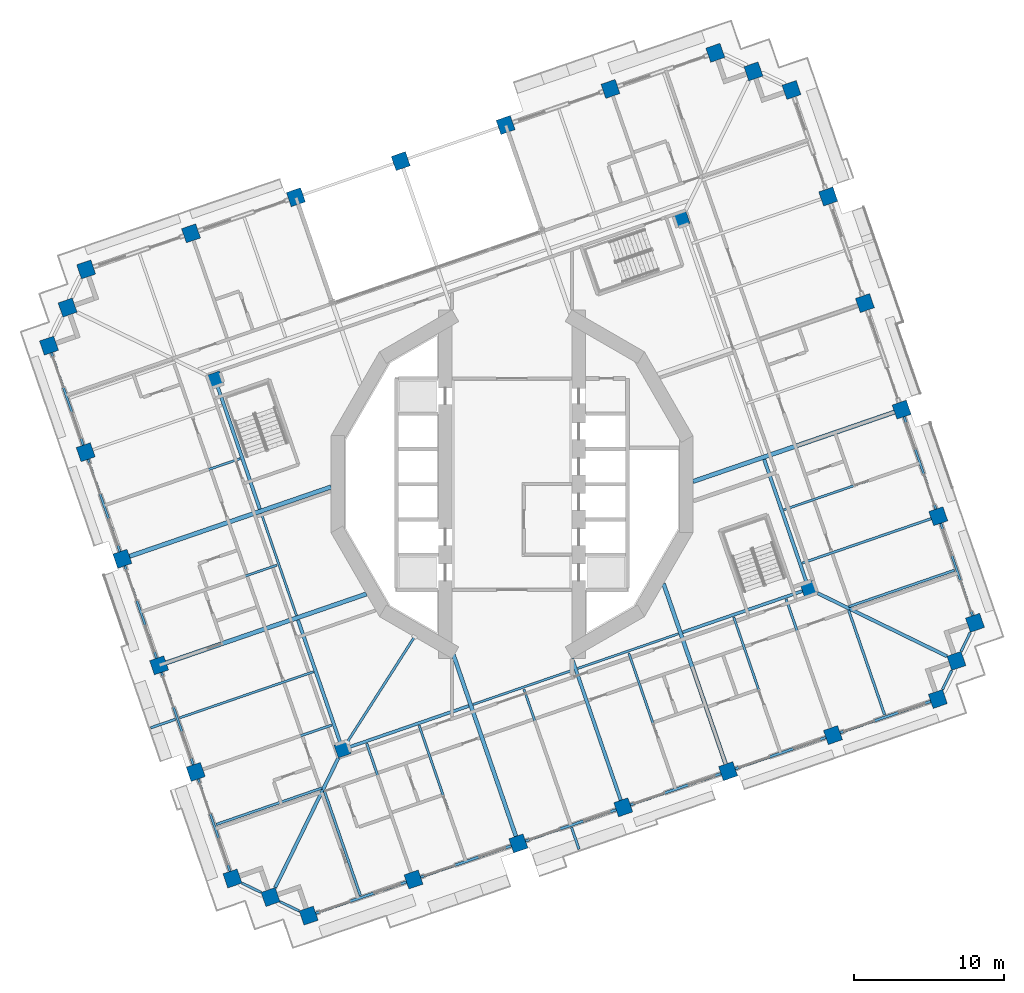
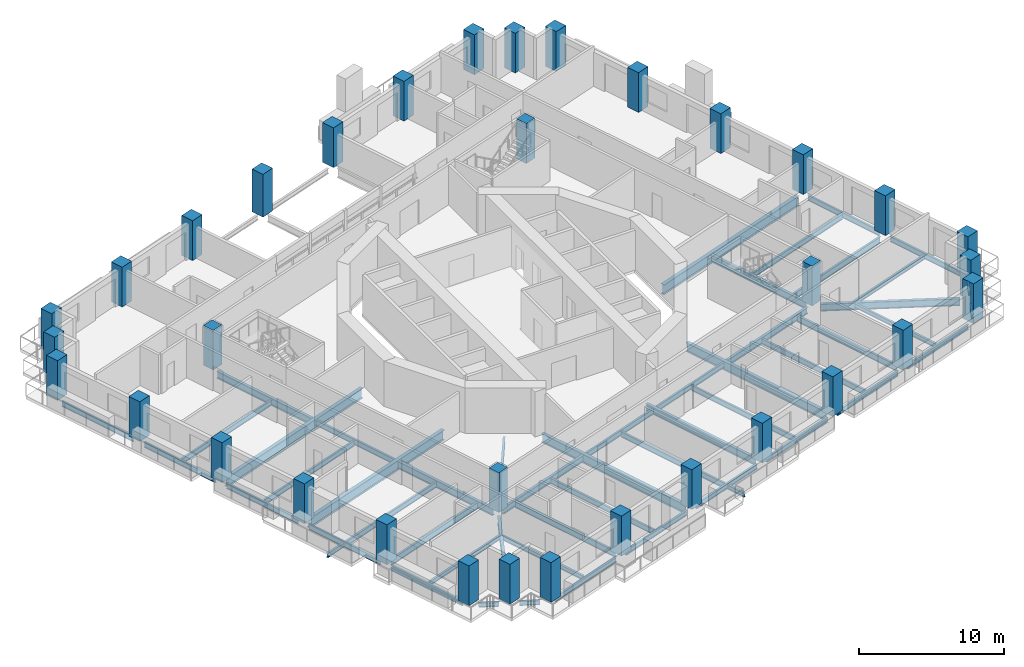
# One storey, part 1 of 22: 52 beams, 34 columns.
"""IFC4 building model written with IfcOpenShell, lengths in metres."""

from ifc_helpers import new_model, si_unit, direction, frame, origin, origin_2d, place, context, subcontext, project, spatial, rectangle, i_section, extrude, material, material_profile, profile_set, type_object, element, save


model = new_model("IFC4")

# Units and contexts
model_context = context("Model", 3, precision=1e-05, world=origin(), true_north=direction((0.0, 1.0)))
body_context = subcontext(model_context, "Body", "Model", "MODEL_VIEW")
ifc_project = project(units=[si_unit("LENGTHUNIT", "METRE"), si_unit("AREAUNIT", "SQUARE_METRE"), si_unit("VOLUMEUNIT", "CUBIC_METRE"), si_unit("PLANEANGLEUNIT", "RADIAN"), si_unit("MASSUNIT", "GRAM", prefix="KILO")], contexts=[model_context])

# Site, building, storey
site_placement = place(None, origin())
site = spatial("IfcSite", under=ifc_project, at=site_placement, CompositionType="ELEMENT")
building_placement = place(site_placement, origin())
building = spatial("IfcBuilding", under=site, at=building_placement, Name="Cantera Rosa Tower", CompositionType="ELEMENT")
storey_placement = place(building_placement, frame((0.0, 0.0, 138.300048828125)))
storey = spatial("IfcBuildingStorey", under=building, at=storey_placement, Name="L29", CompositionType="ELEMENT", Elevation=138.300048828125)

# Columns
ifc_material_1 = material(Name="Concrete C70/85", Category="concrete")
ifc_material_profile_1 = material_profile(ifc_material_1, rectangle(XDim=1.0, YDim=1.0, at=origin_2d()), Name="RC COLUMN RC1000X1000 C70/85")
ifc_profile_set_1 = profile_set([ifc_material_profile_1], Name="Concrete C70/85")
column_type_1 = type_object("IfcColumnType", Name="RC COLUMN RC1000X1000 C70/85", PredefinedType="COLUMN", material=ifc_profile_set_1)
for number, where, z_axis, x_axis, name in (
    (1, (30.893310546875, -9.245849609375, 0.0), (0.0, 0.0, 1.0), (0.945518575599, 0.325568154457, 0.0), "C-Z2-01 L29"),
    (2, (28.445068359375, -2.135498046875, 0.0), (0.0, 0.0, 1.0), (0.945518575599, 0.325568154457, 0.0), "C-Z2-02 L29"),
    (3, (25.996826171875, 4.974853515625, 0.0), (0.0, 0.0, 1.0), (0.945518575599, 0.325568154457, 0.0), "C-Z2-03 L29"),
    (4, (23.54833984375, 12.0849609375, 0.0), (0.0, 0.0, 1.0), (0.945518575599, 0.325568154457, 0.0), "C-Z2-04 L29"),
    (5, (21.10009765625, 19.1953125, 0.0), (0.0, 0.0, 1.0), (0.945518575599, 0.325568154457, 0.0), "C-Z2-05 L29"),
    (6, (18.65185546875, 26.3056640625, 0.0), (0.0, 0.0, 1.0), (0.945518575599, 0.325568154457, 0.0), "C-Z2-06 L29"),
    (7, (16.109619140625, 27.545654296875, 0.0), (0.0, 0.0, 1.0), (0.945518575599, 0.325568154457, 0.0), "C-Z2-07 L29"),
    (8, (13.567626953125, 28.785400390625, 0.0), (0.0, 0.0, 1.0), (0.945518575599, 0.325568154457, 0.0), "C-Z2-08 L29"),
    (9, (6.57080078125, 26.376220703125, 0.0), (0.0, 0.0, 1.0), (0.945518575599, 0.325568154457, 0.0), "C-Z2-09 L29"),
    (10, (-0.426025390625, 23.967041015625, 0.0), (0.0, 0.0, 1.0), (0.945518575599, 0.325568154457, 0.0), "C-Z2-10 L29"),
):
    element("IfcColumn", number, at=place(storey_placement, frame(where, z_axis=z_axis, x_axis=x_axis)), inside=storey, type_object=column_type_1, Name=name, PredefinedType="COLUMN", context=body_context, shape_type="SweptSolid", body=[
        extrude(rectangle(XDim=1.0, YDim=1.0, at=origin_2d()), origin(), (0.0, 0.0, 1.0), 3.349853515625),
    ])
column_placement = place(storey_placement, frame((-7.4228515625, 21.557861328125, -0.25), z_axis=(0.0, 0.0, 1.0), x_axis=(0.945518575599, 0.325568154457, 0.0)))
element("IfcColumn", 11, at=column_placement, inside=storey, type_object=column_type_1, Name="C-Z2-11 L29", PredefinedType="COLUMN", context=body_context, shape_type="SweptSolid", body=[
    extrude(rectangle(XDim=1.0, YDim=1.0, at=origin_2d()), origin(), (0.0, 0.0, 1.0), 3.599853515625),
])
for number, where, z_axis, x_axis, name in (
    (12, (-14.419677734375, 19.148681640625, 0.0), (0.0, 0.0, 1.0), (0.945518575599, 0.325568154457, 0.0), "C-Z2-12 L29"),
    (13, (-21.416748046875, 16.739501953125, 0.0), (0.0, 0.0, 1.0), (0.945518575599, 0.325568154457, 0.0), "C-Z2-13 L29"),
    (14, (-28.41357421875, 14.330322265625, 0.0), (0.0, 0.0, 1.0), (0.945518575599, 0.325568154457, 0.0), "C-Z2-14 L29"),
    (15, (-29.6533203125, 11.7880859375, 0.0), (0.0, 0.0, 1.0), (0.945518575599, 0.325568154457, 0.0), "C-Z2-15 L29"),
    (16, (-30.893310546875, 9.245849609375, 0.0), (0.0, 0.0, 1.0), (0.945518575599, 0.325568154457, 0.0), "C-Z2-16 L29"),
    (17, (-28.445068359375, 2.135498046875, 0.0), (0.0, 0.0, 1.0), (0.945518575599, 0.325568154457, 0.0), "C-Z2-17 L29"),
    (18, (-25.996826171875, -4.974853515625, 0.0), (0.0, 0.0, 1.0), (0.945518575599, 0.325568154457, 0.0), "C-Z2-18 L29"),
    (19, (-23.54833984375, -12.0849609375, 0.0), (0.0, 0.0, 1.0), (0.945518575599, 0.325568154457, 0.0), "C-Z2-19 L29"),
    (20, (-21.10009765625, -19.1953125, 0.0), (0.0, 0.0, 1.0), (0.945518575599, 0.325568154457, 0.0), "C-Z2-20 L29"),
    (21, (-18.65185546875, -26.3056640625, 0.0), (0.0, 0.0, 1.0), (0.945518575599, 0.325568154457, 0.0), "C-Z2-21 L29"),
    (22, (-16.109619140625, -27.545654296875, 0.0), (0.0, 0.0, 1.0), (0.945518575599, 0.325568154457, 0.0), "C-Z2-22 L29"),
    (23, (-13.567626953125, -28.785400390625, 0.0), (0.0, 0.0, 1.0), (0.945518575599, 0.325568154457, 0.0), "C-Z2-23 L29"),
    (24, (-6.57080078125, -26.376220703125, 0.0), (0.0, 0.0, 1.0), (0.945518575599, 0.325568154457, 0.0), "C-Z2-24 L29"),
    (25, (0.426025390625, -23.967041015625, 0.0), (0.0, 0.0, 1.0), (0.945518575599, 0.325568154457, 0.0), "C-Z2-25 L29"),
    (26, (7.4228515625, -21.557861328125, 0.0), (0.0, 0.0, 1.0), (0.945518575599, 0.325568154457, 0.0), "C-Z2-26 L29"),
    (27, (14.419677734375, -19.148681640625, 0.0), (0.0, 0.0, 1.0), (0.945518575599, 0.325568154457, 0.0), "C-Z2-27 L29"),
    (28, (21.416748046875, -16.739501953125, 0.0), (0.0, 0.0, 1.0), (0.945518575599, 0.325568154457, 0.0), "C-Z2-28 L29"),
    (29, (28.41357421875, -14.330322265625, 0.0), (0.0, 0.0, 1.0), (0.945518575599, 0.325568154457, 0.0), "C-Z2-29 L29"),
    (30, (29.6533203125, -11.7880859375, 0.0), (0.0, 0.0, 1.0), (0.945518575599, 0.325568154457, 0.0), "C-Z2-30 L29"),
):
    element("IfcColumn", number, at=place(storey_placement, frame(where, z_axis=z_axis, x_axis=x_axis)), inside=storey, type_object=column_type_1, Name=name, PredefinedType="COLUMN", context=body_context, shape_type="SweptSolid", body=[
        extrude(rectangle(XDim=1.0, YDim=1.0, at=origin_2d()), origin(), (0.0, 0.0, 1.0), 3.349853515625),
    ])
ifc_material_2 = material(Name="Concrete C70/85", Category="concrete")
ifc_material_profile_2 = material_profile(ifc_material_2, rectangle(XDim=0.89990234375, YDim=0.89990234375, at=origin_2d()), Name="RC RING COLUMN RC900X900 C70/85")
ifc_profile_set_2 = profile_set([ifc_material_profile_2], Name="Concrete C70/85")
column_type_2 = type_object("IfcColumnType", Name="RC RING COLUMN RC900X900 C70/85", PredefinedType="COLUMN", material=ifc_profile_set_2)
for number, where, z_axis, x_axis, name in (
    (31, (11.30517578125, 17.694580078125, 0.0), (0.0, 0.0, 1.0), (0.945518575599, 0.325568154457, 0.0), "CI-Z2-1 L29"),
    (32, (-19.802490234375, 6.9833984375, 0.0), (0.0, 0.0, 1.0), (0.945518575599, 0.325568154457, 0.0), "CI-Z2-2 L29"),
    (33, (-11.30517578125, -17.694580078125, 0.0), (0.0, 0.0, 1.0), (0.945518575599, 0.325568154457, 0.0), "CI-Z2-3 L29"),
    (34, (19.802490234375, -6.9833984375, 0.0), (0.0, 0.0, 1.0), (0.945518575599, 0.325568154457, 0.0), "CI-Z2-4 L29"),
):
    element("IfcColumn", number, at=place(storey_placement, frame(where, z_axis=z_axis, x_axis=x_axis)), inside=storey, type_object=column_type_2, Name=name, PredefinedType="COLUMN", context=body_context, shape_type="SweptSolid", body=[
        extrude(rectangle(XDim=0.89990234375, YDim=0.89990234375, at=origin_2d()), origin(), (0.0, 0.0, 1.0), 3.349853515625),
    ])

# Beams
ifc_material_3 = material(Name="Steel ASTM A992 (Fy 345 MPa)", Category="steel")
ifc_material_profile_3 = material_profile(ifc_material_3, i_section(OverallWidth=0.154052734375, OverallDepth=0.4599609375, WebThickness=0.009033203125, FlangeThickness=0.015380859375, FilletRadius=0.01025390625, at=origin_2d()), Name="W460X68")
ifc_profile_set_3 = profile_set([ifc_material_profile_3], Name="Steel ASTM A992 (Fy 345 MPa)")
beam_type_1 = type_object("IfcBeamType", Name="STEEL BEAM W460X68", PredefinedType="BEAM", material=ifc_profile_set_3)
for number, where, z_axis, x_axis, name in (
    (35, (-2.6064453125, -14.699462890625, -0.47998046875), (0.9455219702, 0.325558295653, 0.0), (-0.325558295653, 0.9455219702, 0.0), "RB-Z2-06 L29"),
    (36, (4.390380859375, -12.290283203125, -0.47998046875), (0.9455219702, 0.325558295653, 0.0), (-0.325558295653, 0.9455219702, 0.0), "RB-Z2-07 L29"),
):
    element("IfcBeam", number, at=place(storey_placement, frame(where, z_axis=z_axis, x_axis=x_axis)), inside=storey, type_object=beam_type_1, Name=name, PredefinedType="BEAM", context=body_context, shape_type="SweptSolid", body=[
        extrude(i_section(OverallWidth=0.154052734375, OverallDepth=0.4599609375, WebThickness=0.009033203125, FlangeThickness=0.015380859375, FilletRadius=0.01025390625, at=origin_2d()), origin(), (0.0, 0.0, 1.0), 7.10009765625),
    ])
beam_1_placement = place(storey_placement, frame((-14.37841796875, -8.768798828125, -0.47998046875), z_axis=(-0.325575881702, 0.94551591486, 0.0), x_axis=(-0.94551591486, -0.325575881702, 0.0)))
element("IfcBeam", 37, at=beam_1_placement, inside=storey, type_object=beam_type_1, Name="RB-Z2-13 L29", PredefinedType="BEAM", context=body_context, shape_type="SweptSolid", body=[
    extrude(i_section(OverallWidth=0.154052734375, OverallDepth=0.4599609375, WebThickness=0.009033203125, FlangeThickness=0.015380859375, FilletRadius=0.01025390625, at=origin_2d()), origin(), (0.0, 0.0, 1.0), 7.2197265625),
])
ifc_material_4 = material(Name="Steel ASTM A992 (Fy 345 MPa)", Category="steel")
ifc_material_profile_4 = material_profile(ifc_material_4, i_section(OverallWidth=0.166015625, OverallDepth=0.528076171875, WebThickness=0.009765625, FlangeThickness=0.013671875, FilletRadius=0.0126953125, at=origin_2d()), Name="W530X74")
ifc_profile_set_4 = profile_set([ifc_material_profile_4], Name="Steel ASTM A992 (Fy 345 MPa)")
beam_type_2 = type_object("IfcBeamType", Name="STEEL BEAM W530X74", PredefinedType="BEAM", material=ifc_profile_set_4)
for number, where, z_axis, x_axis, name in (
    (38, (27.97216796875, -2.29833984375, -0.51416015625), (-0.94551971591, -0.325564842737, 0.0), (0.325564842737, -0.94551971591, 0.0), "G-Z2-01 L29"),
    (39, (-6.7333984375, -25.903564453125, -0.51416015625), (-0.325588827377, 0.945511457089, 0.0), (-0.945511457089, -0.325588827377, 0.0), "G-Z2-10 L29"),
    (40, (21.25390625, -16.2666015625, -0.51416015625), (-0.325564842737, 0.94551971591, 0.0), (-0.94551971591, -0.325564842737, 0.0), "G-Z2-14 L29"),
    (41, (-20.62744140625, -19.032470703125, -0.51416015625), (0.94551971591, 0.325564842737, 0.0), (-0.325564842737, 0.94551971591, 0.0), "G-Z2-18 L29"),
):
    element("IfcBeam", number, at=place(storey_placement, frame(where, z_axis=z_axis, x_axis=x_axis)), inside=storey, type_object=beam_type_2, Name=name, PredefinedType="BEAM", context=body_context, shape_type="SweptSolid", body=[
        extrude(i_section(OverallWidth=0.166015625, OverallDepth=0.528076171875, WebThickness=0.009765625, FlangeThickness=0.013671875, FilletRadius=0.0126953125, at=origin_2d()), origin(), (0.0, 0.0, 1.0), 9.10009765625),
    ])
beam_2_placement = place(storey_placement, frame((-10.995849609375, -17.21044921875, -0.51416015625), z_axis=(0.538396209095, 0.842691830999, 0.0), x_axis=(-0.842691830999, 0.538396209095, 0.0)))
element("IfcBeam", 42, at=beam_2_placement, inside=storey, type_object=beam_type_2, Name="PG-Z2-01 L29", PredefinedType="BEAM", context=body_context, shape_type="SweptSolid", body=[
    extrude(i_section(OverallWidth=0.166015625, OverallDepth=0.528076171875, WebThickness=0.009765625, FlangeThickness=0.013671875, FilletRadius=0.0126953125, at=origin_2d()), origin(), (0.0, 0.0, 1.0), 8.3369140625),
])
ifc_material_5 = material(Name="Steel ASTM A992 (Fy 345 MPa)", Category="steel")
ifc_material_profile_5 = material_profile(ifc_material_5, i_section(OverallWidth=0.208984375, OverallDepth=0.532958984375, WebThickness=0.01025390625, FlangeThickness=0.015625, FilletRadius=0.0126953125, at=origin_2d()), Name="W530X92")
ifc_profile_set_5 = profile_set([ifc_material_profile_5], Name="Steel ASTM A992 (Fy 345 MPa)")
beam_type_3 = type_object("IfcBeamType", Name="STEEL BEAM W530X92", PredefinedType="BEAM", material=ifc_profile_set_5)
beam_3_placement = place(storey_placement, frame((-10.879638671875, -17.548095703125, -0.5166015625), z_axis=(0.945522715377, 0.325556131421, 0.0), x_axis=(-0.325556131421, 0.945522715377, 0.0)))
element("IfcBeam", 43, at=beam_3_placement, inside=storey, type_object=beam_type_3, Name="RB-Z2-05 L29", PredefinedType="BEAM", context=body_context, shape_type="SweptSolid", body=[
    extrude(i_section(OverallWidth=0.208984375, OverallDepth=0.532958984375, WebThickness=0.01025390625, FlangeThickness=0.015625, FilletRadius=0.0126953125, at=origin_2d()), origin(), (0.0, 0.0, 1.0), 8.4501953125),
])
beam_4_placement = place(storey_placement, frame((11.387451171875, -9.880859375, -0.5166015625), z_axis=(0.945519653071, 0.325565025235, 0.0), x_axis=(-0.325565025235, 0.945519653071, 0.0)))
element("IfcBeam", 44, at=beam_4_placement, inside=storey, type_object=beam_type_3, Name="RB-Z2-08 L29", PredefinedType="BEAM", context=body_context, shape_type="SweptSolid", body=[
    extrude(i_section(OverallWidth=0.208984375, OverallDepth=0.532958984375, WebThickness=0.01025390625, FlangeThickness=0.015625, FilletRadius=0.0126953125, at=origin_2d()), origin(), (0.0, 0.0, 1.0), 8.449951171875),
])
ifc_material_6 = material(Name="Steel ASTM A992 (Fy 345 MPa)", Category="steel")
ifc_material_profile_6 = material_profile(ifc_material_6, i_section(OverallWidth=0.22802734375, OverallDepth=0.60205078125, WebThickness=0.010498046875, FlangeThickness=0.014892578125, FilletRadius=0.0126953125, at=origin_2d()), Name="W610X101")
ifc_profile_set_6 = profile_set([ifc_material_profile_6], Name="Steel ASTM A992 (Fy 345 MPa)")
beam_type_4 = type_object("IfcBeamType", Name="STEEL BEAM W610X101", PredefinedType="BEAM", material=ifc_profile_set_6)
beam_5_placement = place(storey_placement, frame((-15.7998046875, -26.909912109375, -0.551025390625), z_axis=(0.438387618569, 0.898786012288, 0.0), x_axis=(-0.898786012288, 0.438387618569, 0.0)))
element("IfcBeam", 45, at=beam_5_placement, inside=storey, type_object=beam_type_4, Name="CB-Z2-03 L29", PredefinedType="BEAM", context=body_context, shape_type="SweptSolid", body=[
    extrude(i_section(OverallWidth=0.22802734375, OverallDepth=0.60205078125, WebThickness=0.010498046875, FlangeThickness=0.014892578125, FilletRadius=0.0126953125, at=origin_2d()), origin(), (0.0, 0.0, 1.0), 9.61669921875),
])
beam_6_placement = place(storey_placement, frame((29.017822265625, -11.47802734375, -0.551025390625), z_axis=(-0.898796015179, 0.438367109965, 0.0), x_axis=(-0.438367109965, -0.898796015179, 0.0)))
element("IfcBeam", 46, at=beam_6_placement, inside=storey, type_object=beam_type_4, Name="CB-Z2-04 L29", PredefinedType="BEAM", context=body_context, shape_type="SweptSolid", body=[
    extrude(i_section(OverallWidth=0.22802734375, OverallDepth=0.60205078125, WebThickness=0.010498046875, FlangeThickness=0.014892578125, FilletRadius=0.0126953125, at=origin_2d()), origin(), (0.0, 0.0, 1.0), 9.616455078125),
])
beam_7_placement = place(storey_placement, frame((7.26025390625, -21.0849609375, -0.551025390625), z_axis=(-0.325587365823, 0.945511960377, 0.0), x_axis=(-0.945511960377, -0.325587365823, 0.0)))
element("IfcBeam", 47, at=beam_7_placement, inside=storey, type_object=beam_type_4, Name="G-Z2-12 L29", PredefinedType="BEAM", context=body_context, shape_type="SweptSolid", body=[
    extrude(i_section(OverallWidth=0.22802734375, OverallDepth=0.60205078125, WebThickness=0.010498046875, FlangeThickness=0.014892578125, FilletRadius=0.0126953125, at=origin_2d()), origin(), (0.0, 0.0, 1.0), 10.0),
])
for number, where, z_axis, x_axis, name in (
    (48, (19.656005859375, -6.557861328125, -0.551025390625), (-0.325584584945, 0.945512917969, 0.0), (-0.945512917969, -0.325584584945, 0.0), "RB-Z2-09 L29"),
    (49, (-11.45166015625, -17.26904296875, -0.551025390625), (-0.325559468466, 0.945521566381, 0.0), (-0.945521566381, -0.325559468466, 0.0), "RB-Z2-12 L29"),
    (50, (-16.82666015625, -1.65869140625, -0.551025390625), (-0.325584584945, 0.945512917969, 0.0), (-0.945512917969, -0.325584584945, 0.0), "RB-Z2-14 L29"),
):
    element("IfcBeam", number, at=place(storey_placement, frame(where, z_axis=z_axis, x_axis=x_axis)), inside=storey, type_object=beam_type_4, Name=name, PredefinedType="BEAM", context=body_context, shape_type="SweptSolid", body=[
        extrude(i_section(OverallWidth=0.22802734375, OverallDepth=0.60205078125, WebThickness=0.010498046875, FlangeThickness=0.014892578125, FilletRadius=0.0126953125, at=origin_2d()), origin(), (0.0, 0.0, 1.0), 8.68994140625),
    ])
ifc_material_7 = material(Name="Steel ASTM A992 (Fy 345 MPa)", Category="steel")
ifc_material_profile_7 = material_profile(ifc_material_7, i_section(OverallWidth=0.26708984375, OverallDepth=0.75390625, WebThickness=0.01318359375, FlangeThickness=0.01708984375, FilletRadius=0.0166015625, at=origin_2d()), Name="W760X147")
ifc_profile_set_7 = profile_set([ifc_material_profile_7], Name="Steel ASTM A992 (Fy 345 MPa)")
beam_type_5 = type_object("IfcBeamType", Name="STEEL BEAM W760X147", PredefinedType="BEAM", material=ifc_profile_set_7)
beam_8_placement = place(storey_placement, frame((0.263427734375, -23.494384765625, -0.626953125), z_axis=(-0.325569500581, 0.945518112091, 0.0), x_axis=(-0.945518112091, -0.325569500581, 0.0)))
element("IfcBeam", 51, at=beam_8_placement, inside=storey, type_object=beam_type_5, Name="G-Z2-11 L29", PredefinedType="BEAM", context=body_context, shape_type="SweptSolid", body=[
    extrude(i_section(OverallWidth=0.26708984375, OverallDepth=0.75390625, WebThickness=0.01318359375, FlangeThickness=0.01708984375, FilletRadius=0.0166015625, at=origin_2d()), origin(), (0.0, 0.0, 1.0), 13.09521484375),
])
beam_9_placement = place(storey_placement, frame((14.257080078125, -18.67578125, -0.626953125), z_axis=(-0.325575880476, 0.945515915282, 0.0), x_axis=(-0.945515915282, -0.325575880476, 0.0)))
element("IfcBeam", 52, at=beam_9_placement, inside=storey, type_object=beam_type_5, Name="G-Z2-13 L29", PredefinedType="BEAM", context=body_context, shape_type="SweptSolid", body=[
    extrude(i_section(OverallWidth=0.26708984375, OverallDepth=0.75390625, WebThickness=0.01318359375, FlangeThickness=0.01708984375, FilletRadius=0.0166015625, at=origin_2d()), origin(), (0.0, 0.0, 1.0), 12.734375),
])
ifc_material_8 = material(Name="Steel ASTM A992 (Fy 345 MPa)", Category="steel")
ifc_material_profile_8 = material_profile(ifc_material_8, i_section(OverallWidth=0.2919921875, OverallDepth=0.8359375, WebThickness=0.013916015625, FlangeThickness=0.018798828125, FilletRadius=0.017822265625, at=origin_2d()), Name="W840X176")
ifc_profile_set_8 = profile_set([ifc_material_profile_8], Name="Steel ASTM A992 (Fy 345 MPa)")
beam_type_6 = type_object("IfcBeamType", Name="STEEL BEAM W840X176", PredefinedType="BEAM", material=ifc_profile_set_8)
for number, where, z_axis, x_axis, name in (
    (53, (25.52392578125, 4.81201171875, -0.66796875), (-0.945515154884, -0.325578088765, 0.0), (0.325578088765, -0.945515154884, 0.0), "G-Z2-02 L29"),
    (54, (-25.52392578125, -4.81201171875, -0.66796875), (0.945515154884, 0.325578088765, 0.0), (-0.325578088765, 0.945515154884, 0.0), "G-Z2-16 L29"),
):
    element("IfcBeam", number, at=place(storey_placement, frame(where, z_axis=z_axis, x_axis=x_axis)), inside=storey, type_object=beam_type_6, Name=name, PredefinedType="BEAM", context=body_context, shape_type="SweptSolid", body=[
        extrude(i_section(OverallWidth=0.2919921875, OverallDepth=0.8359375, WebThickness=0.013916015625, FlangeThickness=0.018798828125, FilletRadius=0.017822265625, at=origin_2d()), origin(), (0.0, 0.0, 1.0), 14.22509765625),
    ])
beam_10_placement = place(storey_placement, frame((-23.07568359375, -11.92236328125, -0.66796875), z_axis=(0.945516836256, 0.325573205833, 0.0), x_axis=(-0.325573205833, 0.945516836256, 0.0)))
element("IfcBeam", 55, at=beam_10_placement, inside=storey, type_object=beam_type_6, Name="G-Z2-17 L29", PredefinedType="BEAM", context=body_context, shape_type="SweptSolid", body=[
    extrude(i_section(OverallWidth=0.2919921875, OverallDepth=0.8359375, WebThickness=0.013916015625, FlangeThickness=0.018798828125, FilletRadius=0.017822265625, at=origin_2d()), origin(), (0.0, 0.0, 1.0), 14.130615234375),
])
ifc_material_9 = material(Name="Steel ASTM A992 (Fy 345 MPa)", Category="steel")
ifc_material_profile_9 = material_profile(ifc_material_9, i_section(OverallWidth=0.1708984375, OverallDepth=0.35595703125, WebThickness=0.00732421875, FlangeThickness=0.01171875, FilletRadius=0.010009765625, at=origin_2d()), Name="W360X51")
ifc_profile_set_9 = profile_set([ifc_material_profile_9], Name="Steel ASTM A992 (Fy 345 MPa)")
beam_type_7 = type_object("IfcBeamType", Name="STEEL JOIST W360X51", PredefinedType="JOIST", material=ifc_profile_set_9)
beam_11_placement = place(storey_placement, frame((29.52734375, -5.739501953125, -0.427978515625), z_axis=(-0.945521732807, -0.325558985116, 0.0), x_axis=(0.325558985116, -0.945521732807, 0.0)))
element("IfcBeam", 56, at=beam_11_placement, inside=storey, type_object=beam_type_7, Name="B-Z2-01 L29", PredefinedType="JOIST", context=body_context, shape_type="SweptSolid", body=[
    extrude(i_section(OverallWidth=0.1708984375, OverallDepth=0.35595703125, WebThickness=0.00732421875, FlangeThickness=0.01171875, FilletRadius=0.010009765625, at=origin_2d()), origin(), (0.0, 0.0, 1.0), 7.460205078125),
])
for number, where, z_axis, x_axis, name in (
    (57, (-10.117919921875, -27.43896484375, -0.427978515625), (-0.325565645331, 0.945519439557, 0.0), (-0.945519439557, -0.325565645331, 0.0), "B-Z2-12 L29"),
    (58, (24.8662109375, -15.39306640625, -0.427978515625), (-0.325565645331, 0.945519439557, 0.0), (-0.945519439557, -0.325565645331, 0.0), "B-Z2-17 L29"),
):
    element("IfcBeam", number, at=place(storey_placement, frame(where, z_axis=z_axis, x_axis=x_axis)), inside=storey, type_object=beam_type_7, Name=name, PredefinedType="JOIST", context=body_context, shape_type="SweptSolid", body=[
        extrude(i_section(OverallWidth=0.1708984375, OverallDepth=0.35595703125, WebThickness=0.00732421875, FlangeThickness=0.01171875, FilletRadius=0.010009765625, at=origin_2d()), origin(), (0.0, 0.0, 1.0), 7.39990234375),
    ])
beam_12_placement = place(storey_placement, frame((-19.734130859375, -22.70166015625, -0.427978515625), z_axis=(0.945518264054, 0.32556905925, 0.0), x_axis=(-0.32556905925, 0.945518264054, 0.0)))
element("IfcBeam", 59, at=beam_12_placement, inside=storey, type_object=beam_type_7, Name="B-Z2-22 L29", PredefinedType="JOIST", context=body_context, shape_type="SweptSolid", body=[
    extrude(i_section(OverallWidth=0.1708984375, OverallDepth=0.35595703125, WebThickness=0.00732421875, FlangeThickness=0.01171875, FilletRadius=0.010009765625, at=origin_2d()), origin(), (0.0, 0.0, 1.0), 7.4599609375),
])
beam_13_placement = place(storey_placement, frame((-22.447265625, -15.6826171875, -0.427978515625), z_axis=(-0.945557978721, -0.32545369698, 0.0), x_axis=(0.32545369698, -0.945557978721, 0.0)))
element("IfcBeam", 60, at=beam_13_placement, inside=storey, type_object=beam_type_7, Name="BS-Z2-21 L29", PredefinedType="JOIST", context=body_context, shape_type="SweptSolid", body=[
    extrude(i_section(OverallWidth=0.1708984375, OverallDepth=0.35595703125, WebThickness=0.00732421875, FlangeThickness=0.01171875, FilletRadius=0.010009765625, at=origin_2d()), origin(), (0.0, 0.0, 1.0), 1.751708984375),
])
beam_14_placement = place(storey_placement, frame((3.966796875, -22.88525390625, -0.427978515625), z_axis=(0.325526728538, -0.945532838672, 0.0), x_axis=(0.945532838672, 0.325526728538, 0.0)))
element("IfcBeam", 61, at=beam_14_placement, inside=storey, type_object=beam_type_7, Name="BS-Z2-22 L29", PredefinedType="JOIST", context=body_context, shape_type="SweptSolid", body=[
    extrude(i_section(OverallWidth=0.1708984375, OverallDepth=0.35595703125, WebThickness=0.00732421875, FlangeThickness=0.01171875, FilletRadius=0.010009765625, at=origin_2d()), origin(), (0.0, 0.0, 1.0), 1.556884765625),
])
ifc_material_10 = material(Name="Steel ASTM A992 (Fy 345 MPa)", Category="steel")
ifc_material_profile_10 = material_profile(ifc_material_10, i_section(OverallWidth=0.154052734375, OverallDepth=0.4599609375, WebThickness=0.009033203125, FlangeThickness=0.015380859375, FilletRadius=0.01025390625, at=origin_2d()), Name="W460X68")
ifc_profile_set_10 = profile_set([ifc_material_profile_10], Name="Steel ASTM A992 (Fy 345 MPa)")
beam_type_8 = type_object("IfcBeamType", Name="STEEL JOIST W460X68", PredefinedType="JOIST", material=ifc_profile_set_10)
beam_15_placement = place(storey_placement, frame((27.0791015625, 1.370849609375, -0.47998046875), z_axis=(-0.945518943957, -0.325567084667, 0.0), x_axis=(0.325567084667, -0.945518943957, 0.0)))
element("IfcBeam", 62, at=beam_15_placement, inside=storey, type_object=beam_type_8, Name="B-Z2-02 L29", PredefinedType="JOIST", context=body_context, shape_type="SweptSolid", body=[
    extrude(i_section(OverallWidth=0.154052734375, OverallDepth=0.4599609375, WebThickness=0.009033203125, FlangeThickness=0.015380859375, FilletRadius=0.01025390625, at=origin_2d()), origin(), (0.0, 0.0, 1.0), 9.4501953125),
])
for number, where, z_axis, x_axis, name in (
    (63, (-3.12109375, -25.02978515625, -0.47998046875), (-0.325575037498, 0.94551620555, 0.0), (-0.94551620555, -0.325575037498, 0.0), "B-Z2-13 L29"),
    (64, (3.875732421875, -22.62060546875, -0.47998046875), (-0.325575037498, 0.94551620555, 0.0), (-0.94551620555, -0.325575037498, 0.0), "B-Z2-14 L29"),
):
    element("IfcBeam", number, at=place(storey_placement, frame(where, z_axis=z_axis, x_axis=x_axis)), inside=storey, type_object=beam_type_8, Name=name, PredefinedType="JOIST", context=body_context, shape_type="SweptSolid", body=[
        extrude(i_section(OverallWidth=0.154052734375, OverallDepth=0.4599609375, WebThickness=0.009033203125, FlangeThickness=0.015380859375, FilletRadius=0.01025390625, at=origin_2d()), origin(), (0.0, 0.0, 1.0), 9.449951171875),
    ])
for number, where, z_axis, x_axis, name in (
    (65, (10.87255859375, -20.21142578125, -0.47998046875), (-0.325567084667, 0.945518943957, 0.0), (-0.945518943957, -0.325567084667, 0.0), "B-Z2-15 L29"),
    (66, (17.869384765625, -17.80224609375, -0.47998046875), (-0.325567084667, 0.945518943957, 0.0), (-0.945518943957, -0.325567084667, 0.0), "B-Z2-16 L29"),
    (67, (-27.0791015625, -1.370849609375, -0.47998046875), (0.945518943957, 0.325567084667, 0.0), (-0.325567084667, 0.945518943957, 0.0), "B-Z2-19 L29"),
    (68, (-24.630859375, -8.48095703125, -0.47998046875), (0.945526896389, 0.325543988125, 0.0), (-0.325543988125, 0.945526896389, 0.0), "B-Z2-20 L29"),
):
    element("IfcBeam", number, at=place(storey_placement, frame(where, z_axis=z_axis, x_axis=x_axis)), inside=storey, type_object=beam_type_8, Name=name, PredefinedType="JOIST", context=body_context, shape_type="SweptSolid", body=[
        extrude(i_section(OverallWidth=0.154052734375, OverallDepth=0.4599609375, WebThickness=0.009033203125, FlangeThickness=0.015380859375, FilletRadius=0.01025390625, at=origin_2d()), origin(), (0.0, 0.0, 1.0), 9.4501953125),
    ])
beam_16_placement = place(storey_placement, frame((-22.182373046875, -15.59130859375, -0.47998046875), z_axis=(0.94551620555, 0.325575037498, 0.0), x_axis=(-0.325575037498, 0.94551620555, 0.0)))
element("IfcBeam", 69, at=beam_16_placement, inside=storey, type_object=beam_type_8, Name="B-Z2-21 L29", PredefinedType="JOIST", context=body_context, shape_type="SweptSolid", body=[
    extrude(i_section(OverallWidth=0.154052734375, OverallDepth=0.4599609375, WebThickness=0.009033203125, FlangeThickness=0.015380859375, FilletRadius=0.01025390625, at=origin_2d()), origin(), (0.0, 0.0, 1.0), 9.449951171875),
])
ifc_material_11 = material(Name="Steel ASTM A992 (Fy 345 MPa)", Category="steel")
ifc_material_profile_11 = material_profile(ifc_material_11, i_section(OverallWidth=0.1708984375, OverallDepth=0.35595703125, WebThickness=0.00732421875, FlangeThickness=0.01171875, FilletRadius=0.010009765625, at=origin_2d()), Name="W360X51")
ifc_profile_set_11 = profile_set([ifc_material_profile_11], Name="Steel ASTM A992 (Fy 345 MPa)")
beam_type_9 = type_object("IfcBeamType", Name="STEEL SPANDREL BEAM W360X51", PredefinedType="SPANDREL", material=ifc_profile_set_11)
for number, where, z_axis, x_axis, name in (
    (70, (-18.016357421875, -26.61572265625, -0.427978515625), (0.898803287583, -0.438352198842, 0.0), (0.438352198842, 0.898803287583, 0.0), "EB-Z2-21 L29"),
    (71, (-15.47412109375, -27.85546875, -0.427978515625), (0.898803287583, -0.438352198842, 0.0), (0.438352198842, 0.898803287583, 0.0), "EB-Z2-22 L29"),
):
    element("IfcBeam", number, at=place(storey_placement, frame(where, z_axis=z_axis, x_axis=x_axis)), inside=storey, type_object=beam_type_9, Name=name, PredefinedType="SPANDREL", context=body_context, shape_type="SweptSolid", body=[
        extrude(i_section(OverallWidth=0.1708984375, OverallDepth=0.35595703125, WebThickness=0.00732421875, FlangeThickness=0.01171875, FilletRadius=0.010009765625, at=origin_2d()), origin(), (0.0, 0.0, 1.0), 1.4140625),
    ])
for number, where, z_axis, x_axis, name in (
    (72, (28.723388671875, -13.694580078125, -0.427978515625), (0.438491655897, 0.898735260079, 0.0), (-0.898735260079, 0.438491655897, 0.0), "EB-Z2-29 L29"),
    (73, (29.96337890625, -11.152587890625, -0.427978515625), (0.438284186308, 0.898836454552, 0.0), (-0.898836454552, 0.438284186308, 0.0), "EB-Z2-30 L29"),
):
    element("IfcBeam", number, at=place(storey_placement, frame(where, z_axis=z_axis, x_axis=x_axis)), inside=storey, type_object=beam_type_9, Name=name, PredefinedType="SPANDREL", context=body_context, shape_type="SweptSolid", body=[
        extrude(i_section(OverallWidth=0.1708984375, OverallDepth=0.35595703125, WebThickness=0.00732421875, FlangeThickness=0.01171875, FilletRadius=0.010009765625, at=origin_2d()), origin(), (0.0, 0.0, 1.0), 1.414306640625),
    ])
ifc_material_12 = material(Name="Steel ASTM A992 (Fy 345 MPa)", Category="steel")
ifc_material_profile_12 = material_profile(ifc_material_12, i_section(OverallWidth=0.177978515625, OverallDepth=0.406005859375, WebThickness=0.0078125, FlangeThickness=0.0126953125, FilletRadius=0.01025390625, at=origin_2d()), Name="W410X60")
ifc_profile_set_12 = profile_set([ifc_material_profile_12], Name="Steel ASTM A992 (Fy 345 MPa)")
beam_type_10 = type_object("IfcBeamType", Name="STEEL SPANDREL BEAM W410X60", PredefinedType="SPANDREL", material=ifc_profile_set_12)
for number, where, z_axis, x_axis, name in (
    (74, (-13.0947265625, -28.62255859375, -0.453125), (0.945524496524, 0.325550958337, 0.0), (-0.325550958337, 0.945524496524, 0.0), "EB-Z2-23 L29"),
    (75, (-6.097900390625, -26.21337890625, -0.453125), (0.945524496524, 0.325550958337, 0.0), (-0.325550958337, 0.945524496524, 0.0), "EB-Z2-24 L29"),
    (76, (0.89892578125, -23.80419921875, -0.453125), (0.945524496524, 0.325550958337, 0.0), (-0.325550958337, 0.945524496524, 0.0), "EB-Z2-25 L29"),
    (77, (7.895751953125, -21.39501953125, -0.453125), (0.945524496524, 0.325550958337, 0.0), (-0.325550958337, 0.945524496524, 0.0), "EB-Z2-26 L29"),
    (78, (14.892578125, -18.98583984375, -0.453125), (0.945512753621, 0.325585062219, 0.0), (-0.325585062219, 0.945512753621, 0.0), "EB-Z2-27 L29"),
    (79, (21.889404296875, -16.57666015625, -0.453125), (0.945512753621, 0.325585062219, 0.0), (-0.325585062219, 0.945512753621, 0.0), "EB-Z2-28 L29"),
):
    element("IfcBeam", number, at=place(storey_placement, frame(where, z_axis=z_axis, x_axis=x_axis)), inside=storey, type_object=beam_type_10, Name=name, PredefinedType="SPANDREL", context=body_context, shape_type="SweptSolid", body=[
        extrude(i_section(OverallWidth=0.177978515625, OverallDepth=0.406005859375, WebThickness=0.0078125, FlangeThickness=0.0126953125, FilletRadius=0.01025390625, at=origin_2d()), origin(), (0.0, 0.0, 1.0), 6.39990234375),
    ])
ifc_material_13 = material(Name="Steel ASTM A992 (Fy 345 MPa)", Category="steel")
ifc_material_profile_13 = material_profile(ifc_material_13, i_section(OverallWidth=0.154052734375, OverallDepth=0.4599609375, WebThickness=0.009033203125, FlangeThickness=0.015380859375, FilletRadius=0.01025390625, at=origin_2d()), Name="W460X68")
ifc_profile_set_13 = profile_set([ifc_material_profile_13], Name="Steel ASTM A992 (Fy 345 MPa)")
beam_type_11 = type_object("IfcBeamType", Name="STEEL SPANDREL BEAM W460X68", PredefinedType="SPANDREL", material=ifc_profile_set_13)
for number, where, z_axis, x_axis, name in (
    (80, (30.73046875, -8.773193359375, -0.47998046875), (-0.325580990241, 0.945514155787, 0.0), (-0.945514155787, -0.325580990241, 0.0), "EB-Z2-01 L29"),
    (81, (28.2822265625, -1.662841796875, -0.47998046875), (-0.325580990241, 0.945514155787, 0.0), (-0.945514155787, -0.325580990241, 0.0), "EB-Z2-02 L29"),
    (82, (-30.73046875, 8.773193359375, -0.47998046875), (0.325580990241, -0.945514155787, 0.0), (0.945514155787, 0.325580990241, 0.0), "EB-Z2-16 L29"),
    (83, (-28.2822265625, 1.662841796875, -0.47998046875), (0.325580990241, -0.945514155787, 0.0), (0.945514155787, 0.325580990241, 0.0), "EB-Z2-17 L29"),
    (84, (-25.833984375, -5.447509765625, -0.47998046875), (0.325580990241, -0.945514155787, 0.0), (0.945514155787, 0.325580990241, 0.0), "EB-Z2-18 L29"),
    (85, (-23.3857421875, -12.557861328125, -0.47998046875), (0.325580990241, -0.945514155787, 0.0), (0.945514155787, 0.325580990241, 0.0), "EB-Z2-19 L29"),
):
    element("IfcBeam", number, at=place(storey_placement, frame(where, z_axis=z_axis, x_axis=x_axis)), inside=storey, type_object=beam_type_11, Name=name, PredefinedType="SPANDREL", context=body_context, shape_type="SweptSolid", body=[
        extrude(i_section(OverallWidth=0.154052734375, OverallDepth=0.4599609375, WebThickness=0.009033203125, FlangeThickness=0.015380859375, FilletRadius=0.01025390625, at=origin_2d()), origin(), (0.0, 0.0, 1.0), 6.52001953125),
    ])
beam_17_placement = place(storey_placement, frame((-20.9375, -19.668212890625, -0.47998046875), z_axis=(0.325592517631, -0.945510186335, 0.0), x_axis=(0.945510186335, 0.325592517631, 0.0)))
element("IfcBeam", 86, at=beam_17_placement, inside=storey, type_object=beam_type_11, Name="EB-Z2-20 L29", PredefinedType="SPANDREL", context=body_context, shape_type="SweptSolid", body=[
    extrude(i_section(OverallWidth=0.154052734375, OverallDepth=0.4599609375, WebThickness=0.009033203125, FlangeThickness=0.015380859375, FilletRadius=0.01025390625, at=origin_2d()), origin(), (0.0, 0.0, 1.0), 6.519775390625),
])

save(model, "model.ifc")
